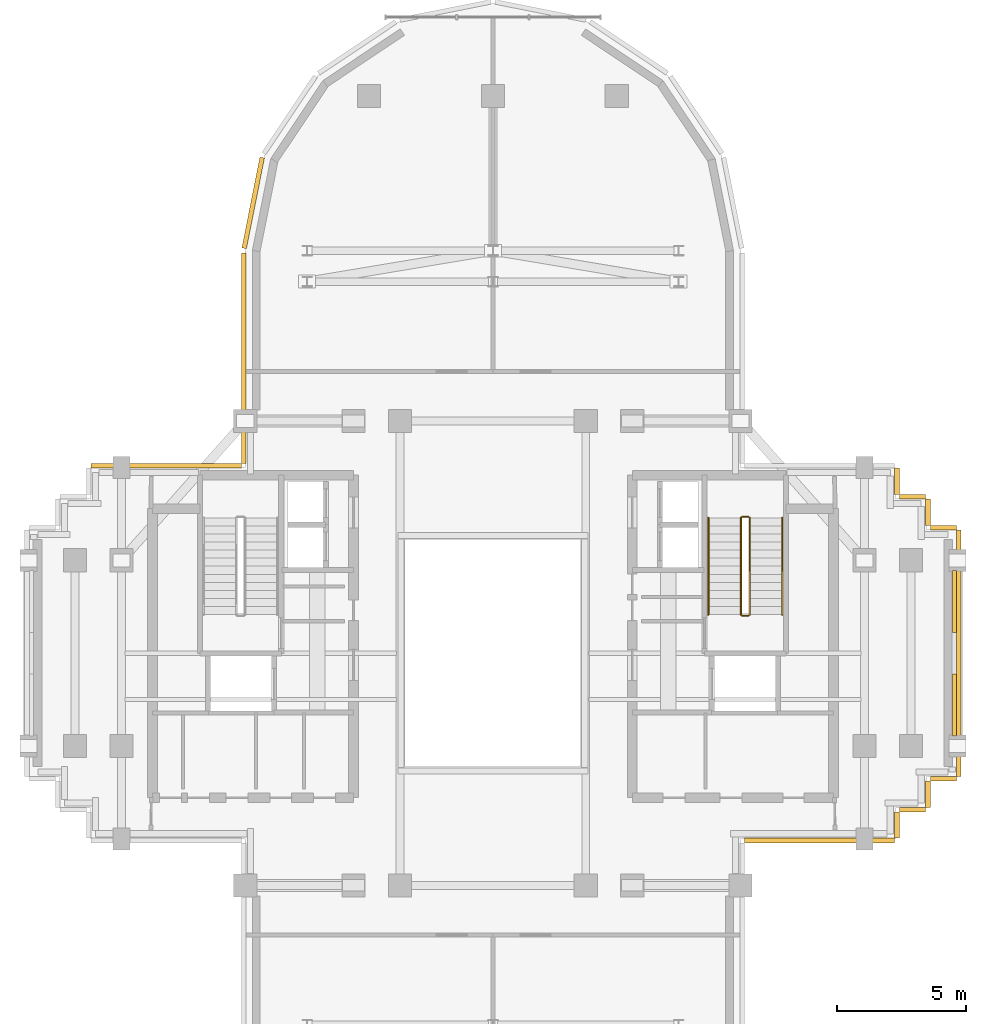
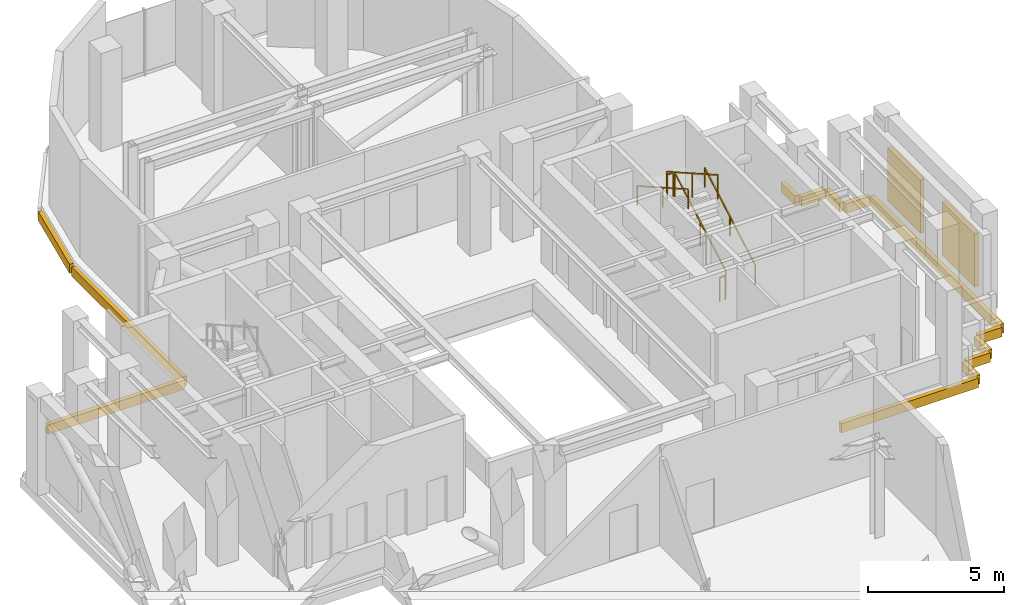
# One storey, part 10 of 11: 13 coverings, 6 railings, 2 shading devices.
"""IFC4 building model written with IfcOpenShell, lengths in metres."""

from ifc_helpers import new_model, si_unit, direction, frame, origin, origin_2d, place, context, subcontext, project, spatial, rectangle, extrude, source, transform, mapped, material, layer, layer_set, type_object, element, save


model = new_model("IFC4")

# Units and contexts
model_context = context("Model", 3, precision=1e-05, world=origin(), true_north=direction((0.0, 1.0)))
body_context = subcontext(model_context, "Body", "Model", "MODEL_VIEW")
ifc_project = project(units=[si_unit("LENGTHUNIT", "METRE"), si_unit("AREAUNIT", "SQUARE_METRE"), si_unit("VOLUMEUNIT", "CUBIC_METRE"), si_unit("PLANEANGLEUNIT", "RADIAN"), si_unit("MASSUNIT", "GRAM", prefix="KILO")], contexts=[model_context])

# Site, building, storey
site_placement = place(None, origin())
site = spatial("IfcSite", under=ifc_project, at=site_placement, CompositionType="ELEMENT")
building_placement = place(site_placement, origin())
building = spatial("IfcBuilding", under=site, at=building_placement, Name="Keilestroom Media Tower", CompositionType="ELEMENT")
storey_placement = place(building_placement, frame((0.0, 0.0, 214.800048828125)))
storey = spatial("IfcBuildingStorey", under=building, at=storey_placement, Name="L59", CompositionType="ELEMENT", Elevation=214.800048828125)

# Railings
ifc_material_1 = material(Name="Brushed Stainless Steel 1.4301", Category="steel")
railing_type_1 = type_object("IfcRailingType", Name="Stair-Pitch-Handrail-920", PredefinedType="HANDRAIL", material=ifc_material_1)
railing_1_placement = place(storey_placement, frame((11.2099609375, 1.5, 0.1767578125)))
element("IfcRailing", 1, at=railing_1_placement, inside=storey, type_object=railing_type_1, Name="L59 ST-2 stair handrail 1", PredefinedType="HANDRAIL", context=body_context, shape_type="SweptSolid", body=[
    extrude(rectangle(XDim=0.048095703125, YDim=0.048095703125, at=origin_2d()), frame((0.0, 0.0, 0.8759765625), z_axis=(0.0, 0.869847764152, 0.493320248114), x_axis=(-1.0, 0.0, 0.0)), (0.0, 0.0, 1.0), 4.30419921875),
    extrude(rectangle(XDim=0.0419921875, YDim=0.0419921875, at=origin_2d()), origin(), (0.0, 0.0, 1.0), 0.84375),
    extrude(rectangle(XDim=0.0419921875, YDim=0.0419921875, at=origin_2d()), frame((0.0, 1.8720703125, 1.0615234375)), (0.0, 0.0, 1.0), 0.84375),
    extrude(rectangle(XDim=0.0419921875, YDim=0.0419921875, at=origin_2d()), frame((0.0, 3.743896484375, 2.123291015625)), (0.0, 0.0, 1.0), 0.84375),
])
railing_2_placement = place(storey_placement, frame((8.35009765625, 5.243896484375, 2.476806640625)))
element("IfcRailing", 2, at=railing_2_placement, inside=storey, type_object=railing_type_1, Name="L59 ST-2 stair handrail 2", PredefinedType="HANDRAIL", context=body_context, shape_type="SweptSolid", body=[
    extrude(rectangle(XDim=0.048095703125, YDim=0.048095703125, at=origin_2d()), frame((0.0, 0.0, 0.8759765625), z_axis=(0.0, -0.869872104396, 0.493277327671), x_axis=(1.0, 0.0, 0.0)), (0.0, 0.0, 1.0), 4.303955078125),
    extrude(rectangle(XDim=0.0419921875, YDim=0.0419921875, at=origin_2d()), origin(), (0.0, 0.0, 1.0), 0.84375),
    extrude(rectangle(XDim=0.0419921875, YDim=0.0419921875, at=origin_2d()), frame((0.0, -1.8720703125, 1.0615234375)), (0.0, 0.0, 1.0), 0.84375),
    extrude(rectangle(XDim=0.0419921875, YDim=0.0419921875, at=origin_2d()), frame((0.0, -3.743896484375, 2.123046875)), (0.0, 0.0, 1.0), 0.84375),
])
ifc_material_2 = material(Name="Painted Steel Balustrade", Category="steel")
railing_type_2 = type_object("IfcRailingType", Name="Stair-Well-And-Landing-Guard-1100", PredefinedType="GUARDRAIL", material=ifc_material_2)
railing_3_placement = place(storey_placement, frame((9.949951171875, 1.5, 0.1767578125)))
element("IfcRailing", 3, at=railing_3_placement, inside=storey, type_object=railing_type_2, Name="L59 ST-2 stair guard 1", PredefinedType="GUARDRAIL", context=body_context, shape_type="SweptSolid", body=[
    extrude(rectangle(XDim=0.048095703125, YDim=0.048095703125, at=origin_2d()), frame((0.0, 0.0, 1.076171875), z_axis=(0.0, 0.869847764152, 0.493320248114), x_axis=(-1.0, 0.0, 0.0)), (0.0, 0.0, 1.0), 4.30419921875),
    extrude(rectangle(XDim=0.0419921875, YDim=0.0419921875, at=origin_2d()), origin(), (0.0, 0.0, 1.0), 1.0439453125),
    extrude(rectangle(XDim=0.0419921875, YDim=0.0419921875, at=origin_2d()), frame((0.0, 1.8720703125, 1.0615234375)), (0.0, 0.0, 1.0), 1.0439453125),
    extrude(rectangle(XDim=0.0419921875, YDim=0.0419921875, at=origin_2d()), frame((0.0, 3.743896484375, 2.123291015625)), (0.0, 0.0, 1.0), 1.0439453125),
])
railing_4_placement = place(storey_placement, frame((9.89990234375, 5.2939453125, 2.300048828125)))
element("IfcRailing", 4, at=railing_4_placement, inside=storey, type_object=railing_type_2, Name="L59 ST-2 stair guard 2", PredefinedType="GUARDRAIL", context=body_context, shape_type="SweptSolid", body=[
    extrude(rectangle(XDim=0.048095703125, YDim=0.048095703125, at=origin_2d()), frame((0.0, 0.0, 1.076171875), z_axis=(-1.0, 0.0, 0.0), x_axis=(0.0, -1.0, 0.0)), (0.0, 0.0, 1.0), 0.239990234375),
    extrude(rectangle(XDim=0.0419921875, YDim=0.0419921875, at=origin_2d()), origin(), (0.0, 0.0, 1.0), 1.0439453125),
    extrude(rectangle(XDim=0.0419921875, YDim=0.0419921875, at=origin_2d()), frame((-0.239990234375, 0.0, 0.0)), (0.0, 0.0, 1.0), 1.0439453125),
])
railing_5_placement = place(storey_placement, frame((9.610107421875, 5.243896484375, 2.476806640625)))
element("IfcRailing", 5, at=railing_5_placement, inside=storey, type_object=railing_type_2, Name="L59 ST-2 stair guard 3", PredefinedType="GUARDRAIL", context=body_context, shape_type="SweptSolid", body=[
    extrude(rectangle(XDim=0.048095703125, YDim=0.048095703125, at=origin_2d()), frame((0.0, 0.0, 1.076171875), z_axis=(0.0, -0.869872104396, 0.493277327671), x_axis=(1.0, 0.0, 0.0)), (0.0, 0.0, 1.0), 4.303955078125),
    extrude(rectangle(XDim=0.0419921875, YDim=0.0419921875, at=origin_2d()), origin(), (0.0, 0.0, 1.0), 1.0439453125),
    extrude(rectangle(XDim=0.0419921875, YDim=0.0419921875, at=origin_2d()), frame((0.0, -1.8720703125, 1.0615234375)), (0.0, 0.0, 1.0), 1.0439453125),
    extrude(rectangle(XDim=0.0419921875, YDim=0.0419921875, at=origin_2d()), frame((0.0, -3.743896484375, 2.123046875)), (0.0, 0.0, 1.0), 1.0439453125),
])
railing_6_placement = place(storey_placement, frame((9.89990234375, 1.449951171875, 0.0)))
element("IfcRailing", 6, at=railing_6_placement, inside=storey, type_object=railing_type_2, Name="L59 ST-2 stair guard 4", PredefinedType="GUARDRAIL", context=body_context, shape_type="SweptSolid", body=[
    extrude(rectangle(XDim=0.048095703125, YDim=0.048095703125, at=origin_2d()), frame((0.0, 0.0, 1.076171875), z_axis=(-1.0, 0.0, 0.0), x_axis=(0.0, -1.0, 0.0)), (0.0, 0.0, 1.0), 0.239990234375),
    extrude(rectangle(XDim=0.0419921875, YDim=0.0419921875, at=origin_2d()), origin(), (0.0, 0.0, 1.0), 1.0439453125),
    extrude(rectangle(XDim=0.0419921875, YDim=0.0419921875, at=origin_2d()), frame((-0.239990234375, 0.0, 0.0)), (0.0, 0.0, 1.0), 1.0439453125),
])

# Shading devices
ifc_material_3 = material(Name="Bronze Anodised Aluminium", Category="aluminium")
ifc_layer_1 = layer(ifc_material_3, 0.159912109375)
ifc_layer_set_1 = layer_set([ifc_layer_1], Name="Bronze Anodised Aluminium")
shading_device_type = type_object("IfcShadingDeviceType", Name="Facade-Plant-Intake-Louvre-SHD-2", PredefinedType="USERDEFINED", material=ifc_layer_set_1)
shared_shape_1 = source(origin(), body_context, "Body", "SweptSolid", [
    extrude(rectangle(XDim=0.159912109375, YDim=2.39990234375, at=origin_2d()), origin(), (0.0, 0.0, 1.0), 2.39990234375),
])
for number, where, z_axis, x_axis, name in (
    (7, (17.889892578125, -2.0, 0.60009765625), (0.0, 0.0, 1.0), (1.0, 0.0, 0.0), "L59 Plant Intake Louvre E 15"),
    (8, (17.889892578125, 2.0, 0.60009765625), (0.0, 0.0, 1.0), (1.0, 0.0, 0.0), "L59 Plant Intake Louvre E 16"),
):
    element("IfcShadingDevice", number, at=place(storey_placement, frame(where, z_axis=z_axis, x_axis=x_axis)), inside=storey, type_object=shading_device_type, Name=name, ObjectType="LOUVER", PredefinedType="USERDEFINED", context=body_context, shape_type="MappedRepresentation", body=[
        mapped(shared_shape_1, transform((0.0, 0.0, 0.0), x_axis=(1.0, 0.0, 0.0), y_axis=(0.0, 1.0, 0.0), z_axis=(0.0, 0.0, 1.0), scale=1.0)),
    ])

# Coverings
ifc_material_4 = material(Name="Precast concrete C40/50", Category="concrete")
ifc_layer_2 = layer(ifc_material_4, 0.1201171875)
ifc_layer_set_2 = layer_set([ifc_layer_2], Name="Precast concrete C40/50")
covering_type = type_object("IfcCoveringType", Name="Exterior-Precast-Spandrel-Cladding-Panel-120", PredefinedType="CLADDING", material=ifc_layer_set_2)
shared_shape_2 = source(origin(), body_context, "Body", "SweptSolid", [
    extrude(rectangle(XDim=1.02001953125, YDim=0.179931640625, at=origin_2d()), origin(), (0.0, 0.0, 1.0), 0.419921875),
])
for number, where, z_axis, x_axis, name in (
    (9, (17.4599609375, -4.860107421875, -0.60009765625), (0.0, 0.0, 1.0), (-1.0, 0.0, 0.0), "L59 Precast Slab-Edge Fascia Cornice 01"),
    (10, (16.860107421875, -5.4599609375, -0.60009765625), (0.0, 0.0, 1.0), (0.0, -1.0, 0.0), "L59 Precast Slab-Edge Fascia Cornice 02"),
    (11, (16.260009765625, -6.06005859375, -0.60009765625), (0.0, 0.0, 1.0), (-1.0, 0.0, 0.0), "L59 Precast Slab-Edge Fascia Cornice 03"),
    (12, (15.659912109375, -6.659912109375, -0.60009765625), (0.0, 0.0, 1.0), (0.0, -1.0, 0.0), "L59 Precast Slab-Edge Fascia Cornice 04"),
    (13, (15.659912109375, 6.659912109375, -0.60009765625), (0.0, 0.0, 1.0), (0.0, -1.0, 0.0), "L59 Precast Slab-Edge Fascia Cornice 38"),
    (14, (16.260009765625, 6.06005859375, -0.60009765625), (0.0, 0.0, 1.0), (1.0, 0.0, 0.0), "L59 Precast Slab-Edge Fascia Cornice 39"),
    (15, (16.860107421875, 5.4599609375, -0.60009765625), (0.0, 0.0, 1.0), (0.0, -1.0, 0.0), "L59 Precast Slab-Edge Fascia Cornice 40"),
    (16, (17.4599609375, 4.860107421875, -0.60009765625), (0.0, 0.0, 1.0), (1.0, 0.0, 0.0), "L59 Precast Slab-Edge Fascia Cornice 41"),
):
    element("IfcCovering", number, at=place(storey_placement, frame(where, z_axis=z_axis, x_axis=x_axis)), inside=storey, type_object=covering_type, Name=name, PredefinedType="CLADDING", context=body_context, shape_type="MappedRepresentation", body=[
        mapped(shared_shape_2, transform((0.0, 0.0, 0.0), x_axis=(1.0, 0.0, 0.0), y_axis=(0.0, 1.0, 0.0), z_axis=(0.0, 0.0, 1.0), scale=1.0)),
    ])
shared_shape_3 = source(origin(), body_context, "Body", "SweptSolid", [
    extrude(rectangle(XDim=8.166015625, YDim=0.179931640625, at=origin_2d()), origin(), (0.0, 0.0, 1.0), 0.419921875),
])
covering_1_placement = place(storey_placement, frame((-9.659912109375, 11.43310546875, -0.60009765625), z_axis=(0.0, 0.0, 1.0), x_axis=(0.0, 1.0, 0.0)))
element("IfcCovering", 17, at=covering_1_placement, inside=storey, type_object=covering_type, Name="L59 Precast Slab-Edge Fascia Cornice 27", PredefinedType="CLADDING", context=body_context, shape_type="MappedRepresentation", body=[
    mapped(shared_shape_3, transform((0.0, 0.0, 0.0), x_axis=(1.0, 0.0, 0.0), y_axis=(0.0, 1.0, 0.0), z_axis=(0.0, 0.0, 1.0), scale=1.0)),
])
shared_shape_4 = source(origin(), body_context, "Body", "SweptSolid", [
    extrude(rectangle(XDim=3.58349609375, YDim=0.179931640625, at=origin_2d()), origin(), (0.0, 0.0, 1.0), 0.419921875),
])
covering_2_placement = place(storey_placement, frame((-9.29296875, 17.45166015625, -0.60009765625), z_axis=(0.0, 0.0, 1.0), x_axis=(0.195098880975, 0.980783577882, 0.0)))
element("IfcCovering", 18, at=covering_2_placement, inside=storey, type_object=covering_type, Name="L59 Precast Slab-Edge Fascia Cornice 28", PredefinedType="CLADDING", context=body_context, shape_type="MappedRepresentation", body=[
    mapped(shared_shape_4, transform((0.0, 0.0, 0.0), x_axis=(1.0, 0.0, 0.0), y_axis=(0.0, 1.0, 0.0), z_axis=(0.0, 0.0, 1.0), scale=1.0)),
])
shared_shape_5 = source(origin(), body_context, "Body", "SweptSolid", [
    extrude(rectangle(XDim=9.5400390625, YDim=0.179931640625, at=origin_2d()), origin(), (0.0, 0.0, 1.0), 0.419921875),
])
covering_3_placement = place(storey_placement, frame((18.06005859375, 0.0, -0.60009765625), z_axis=(0.0, 0.0, 1.0), x_axis=(0.0, -1.0, 0.0)))
element("IfcCovering", 19, at=covering_3_placement, inside=storey, type_object=covering_type, Name="L59 Precast Slab-Edge Fascia Cornice 42", PredefinedType="CLADDING", context=body_context, shape_type="MappedRepresentation", body=[
    mapped(shared_shape_5, transform((0.0, 0.0, 0.0), x_axis=(1.0, 0.0, 0.0), y_axis=(0.0, 1.0, 0.0), z_axis=(0.0, 0.0, 1.0), scale=1.0)),
])
shared_shape_6 = source(origin(), body_context, "Body", "SweptSolid", [
    extrude(rectangle(XDim=5.820068359375, YDim=0.179931640625, at=origin_2d()), origin(), (0.0, 0.0, 1.0), 0.419921875),
])
for number, where, z_axis, x_axis, name in (
    (20, (12.659912109375, -7.260009765625, -0.60009765625), (0.0, 0.0, 1.0), (-1.0, 0.0, 0.0), "L59 Precast Slab-Edge Fascia Cornice 05"),
    (21, (-12.659912109375, 7.260009765625, -0.60009765625), (0.0, 0.0, 1.0), (1.0, 0.0, 0.0), "L59 Precast Slab-Edge Fascia Cornice 26"),
):
    element("IfcCovering", number, at=place(storey_placement, frame(where, z_axis=z_axis, x_axis=x_axis)), inside=storey, type_object=covering_type, Name=name, PredefinedType="CLADDING", context=body_context, shape_type="MappedRepresentation", body=[
        mapped(shared_shape_6, transform((0.0, 0.0, 0.0), x_axis=(1.0, 0.0, 0.0), y_axis=(0.0, 1.0, 0.0), z_axis=(0.0, 0.0, 1.0), scale=1.0)),
    ])

save(model, "model.ifc")
